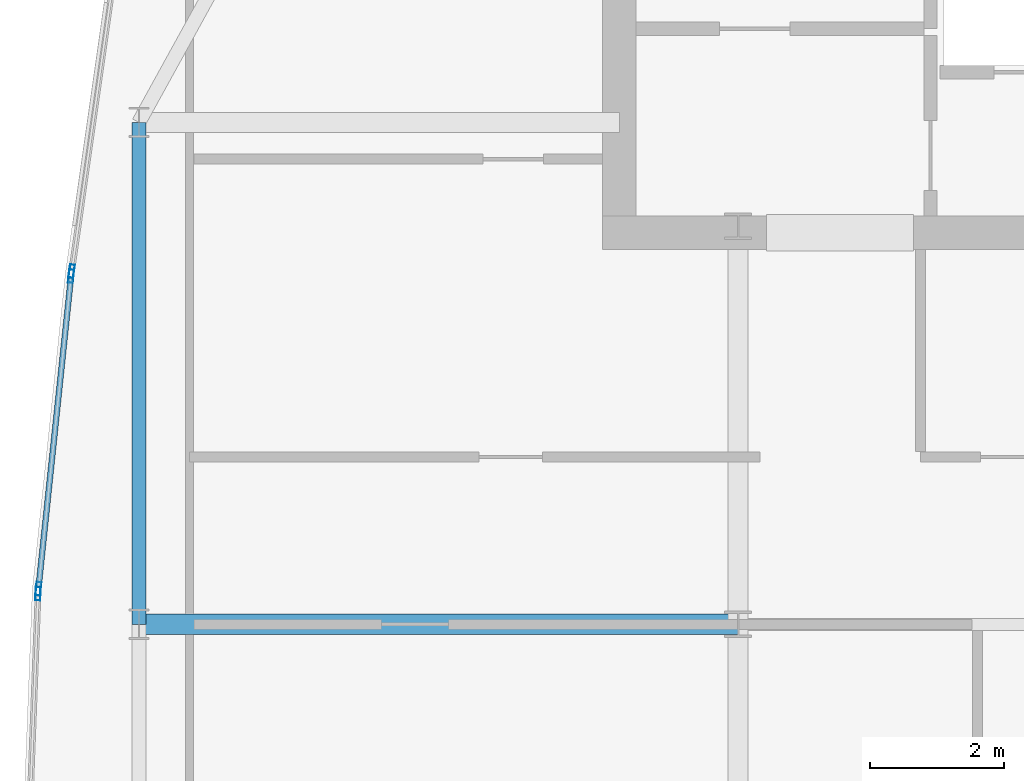
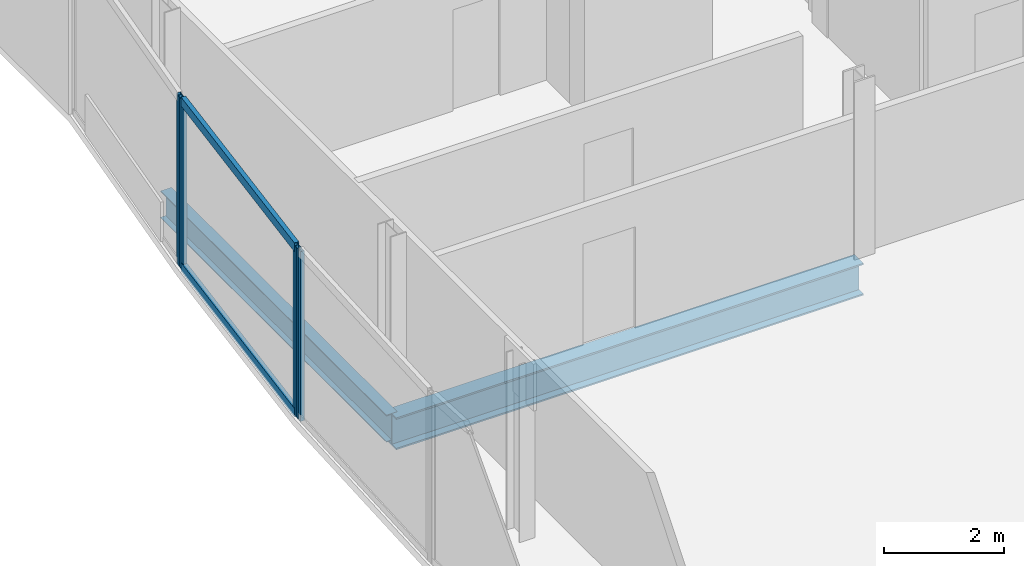
# One storey, part 12 of 30: 6 members, 2 beams, 3 elements without a shape of their own.
"""IFC4 building model written with IfcOpenShell, lengths in metres."""

from ifc_helpers import new_model, si_unit, direction, frame, origin, origin_2d, place, context, subcontext, project, spatial, hollow_rectangle, i_section, extrude, material, material_profile, profile_set, type_object, element, aggregate, save


model = new_model("IFC4")

# Units and contexts
model_context = context("Model", 3, precision=1e-05, world=origin(), true_north=direction((0.0, 1.0)))
body_context = subcontext(model_context, "Body", "Model", "MODEL_VIEW")
ifc_project = project(units=[si_unit("LENGTHUNIT", "METRE"), si_unit("AREAUNIT", "SQUARE_METRE"), si_unit("VOLUMEUNIT", "CUBIC_METRE"), si_unit("PLANEANGLEUNIT", "RADIAN"), si_unit("MASSUNIT", "GRAM", prefix="KILO")], contexts=[model_context])

# Site, building, storey
site_placement = place(None, origin())
site = spatial("IfcSite", under=ifc_project, at=site_placement, CompositionType="ELEMENT")
building_placement = place(site_placement, origin())
building = spatial("IfcBuilding", under=site, at=building_placement, Name="Khoronbel Lancet Exchange", CompositionType="ELEMENT")
storey_placement = place(building_placement, frame((0.0, 0.0, 280.60009765625)))
storey = spatial("IfcBuildingStorey", under=building, at=storey_placement, Name="L72", CompositionType="ELEMENT", Elevation=280.60009765625)

# Beams
ifc_material_1 = material(Name="Steel S355", Category="steel")
ifc_material_profile_1 = material_profile(ifc_material_1, i_section(OverallWidth=0.300048828125, OverallDepth=0.64990234375, WebThickness=0.01611328125, FlangeThickness=0.031005859375, at=origin_2d()), Name="HEB 650")
ifc_profile_set_1 = profile_set([ifc_material_profile_1], Name="Steel S355")
beam_type_1 = type_object("IfcBeamType", Name="BM-BG4", PredefinedType="BEAM", material=ifc_profile_set_1)
beam_1_placement = place(storey_placement, frame((9.27001953125, 35.699951171875, -0.485107421875), z_axis=(1.0, 0.0, 0.0), x_axis=(0.0, 1.0, 0.0)))
element("IfcBeam", 1, at=beam_1_placement, inside=storey, type_object=beam_type_1, Name="Level L72 west lens tie girder LG4W", PredefinedType="BEAM", context=body_context, shape_type="SweptSolid", body=[
    extrude(i_section(OverallWidth=0.300048828125, OverallDepth=0.64990234375, WebThickness=0.01611328125, FlangeThickness=0.031005859375, at=origin_2d()), origin(), (0.0, 0.0, 1.0), 8.955078125),
])
ifc_material_profile_2 = material_profile(ifc_material_1, i_section(OverallWidth=0.2099609375, OverallDepth=0.550048828125, WebThickness=0.010986328125, FlangeThickness=0.01708984375, at=origin_2d()), Name="IPE 550")
ifc_profile_set_2 = profile_set([ifc_material_profile_2], Name="Steel S355")
beam_type_2 = type_object("IfcBeamType", Name="BM-BSP3", PredefinedType="SPANDREL", material=ifc_profile_set_2)
beam_2_placement = place(storey_placement, frame((9.27001953125, 43.199951171875, -0.43505859375), z_axis=(0.0, -1.0, 0.0), x_axis=(1.0, 0.0, 0.0)))
element("IfcBeam", 2, at=beam_2_placement, inside=storey, type_object=beam_type_2, Name="Level L72 perimeter spandrel beam SP17", PredefinedType="SPANDREL", context=body_context, shape_type="SweptSolid", body=[
    extrude(i_section(OverallWidth=0.2099609375, OverallDepth=0.550048828125, WebThickness=0.010986328125, FlangeThickness=0.01708984375, at=origin_2d()), origin(), (0.0, 0.0, 1.0), 7.5),
])

# Curtain wall, member
ifc_material_2 = material(Name="Low-E Solar Control Insulating Glass", Category="glass")
curtain_wall_type = type_object("IfcCurtainWallType", Name="CW-4", PredefinedType="NOTDEFINED", material=ifc_material_2)
curtain_wall_1_placement = place(storey_placement, origin())
curtain_wall_1 = element("IfcCurtainWall", 3, at=curtain_wall_1_placement, inside=storey, type_object=curtain_wall_type, Name="Unitised curtain wall CW-L72-E07", PredefinedType="NOTDEFINED")
ifc_material_3 = material(Name="Bronze-Anodised Aluminium 6063-T6", Category="aluminium")
ifc_material_profile_3 = material_profile(ifc_material_3, hollow_rectangle(XDim=0.074951171875, YDim=0.199951171875, WallThickness=0.0048828125, at=origin_2d()), Name="ALU MULLION 75x200")
ifc_profile_set_3 = profile_set([ifc_material_profile_3], Name="Bronze-Anodised Aluminium 6063-T6")
member_type_1 = type_object("IfcMemberType", Name="MEM-CWM2", PredefinedType="MULLION", material=ifc_profile_set_3)
member_1_placement = place(storey_placement, frame((7.7646484375, 36.156005859375, 0.0), z_axis=(0.0, 0.0, 1.0), x_axis=(-0.999270418171, 0.038192032798, 0.0)))
member_1 = element("IfcMember", 4, at=member_1_placement, type_object=member_type_1, Name="CW4 mullion 2", PredefinedType="MULLION", context=body_context, shape_type="SweptSolid", body=[
    extrude(hollow_rectangle(XDim=0.074951171875, YDim=0.199951171875, WallThickness=0.0048828125, at=origin_2d()), origin(), (0.0, 0.0, 1.0), 3.43994140625),
])
aggregate(curtain_wall_1, [member_1])

# Curtain wall, members
curtain_wall_2_placement = place(storey_placement, origin())
curtain_wall_2 = element("IfcCurtainWall", 5, at=curtain_wall_2_placement, inside=storey, type_object=curtain_wall_type, Name="Unitised curtain wall CW-L72-E08", PredefinedType="NOTDEFINED")
member_2_placement = place(storey_placement, frame((7.769775390625, 36.23095703125, 0.0), z_axis=(0.0, 0.0, 1.0), x_axis=(-0.994590565659, 0.103873031641, 0.0)))
member_2 = element("IfcMember", 6, at=member_2_placement, type_object=member_type_1, Name="CW4 mullion 1", PredefinedType="MULLION", context=body_context, shape_type="SweptSolid", body=[
    extrude(hollow_rectangle(XDim=0.074951171875, YDim=0.199951171875, WallThickness=0.0048828125, at=origin_2d()), origin(), (0.0, 0.0, 1.0), 3.43994140625),
])
member_3_placement = place(storey_placement, frame((8.2578125, 40.901611328125, 0.0), z_axis=(0.0, 0.0, 1.0), x_axis=(-0.994590565659, 0.103873031641, 0.0)))
member_3 = element("IfcMember", 7, at=member_3_placement, type_object=member_type_1, Name="CW4 mullion 2", PredefinedType="MULLION", context=body_context, shape_type="SweptSolid", body=[
    extrude(hollow_rectangle(XDim=0.074951171875, YDim=0.199951171875, WallThickness=0.0048828125, at=origin_2d()), origin(), (0.0, 0.0, 1.0), 3.43994140625),
])

# Curtain wall, member
curtain_wall_3_placement = place(storey_placement, origin())
curtain_wall_3 = element("IfcCurtainWall", 8, at=curtain_wall_3_placement, inside=storey, type_object=curtain_wall_type, Name="Unitised curtain wall CW-L72-E09", PredefinedType="NOTDEFINED")
member_4_placement = place(storey_placement, frame((8.266845703125, 40.97607421875, 0.0), z_axis=(0.0, 0.0, 1.0), x_axis=(-0.989973632032, 0.141252284521, 0.0)))
member_4 = element("IfcMember", 9, at=member_4_placement, type_object=member_type_1, Name="CW4 mullion 1", PredefinedType="MULLION", context=body_context, shape_type="SweptSolid", body=[
    extrude(hollow_rectangle(XDim=0.074951171875, YDim=0.199951171875, WallThickness=0.0048828125, at=origin_2d()), origin(), (0.0, 0.0, 1.0), 3.43994140625),
])
aggregate(curtain_wall_3, [member_4])

# Member
ifc_material_profile_4 = material_profile(ifc_material_3, hollow_rectangle(XDim=0.0849609375, YDim=0.179931640625, WallThickness=0.0048828125, at=origin_2d()), Name="ALU TRANSOM 85x180")
ifc_profile_set_4 = profile_set([ifc_material_profile_4], Name="Bronze-Anodised Aluminium 6063-T6")
member_type_2 = type_object("IfcMemberType", Name="MEM-CWT1", PredefinedType="USERDEFINED", material=ifc_profile_set_4)
member_5_placement = place(storey_placement, frame((7.773681640625, 36.268310546875, 0.04248046875), z_axis=(0.103917481639, 0.994585922387, 0.0), x_axis=(-0.994585922387, 0.103917481639, 0.0)))
member_5 = element("IfcMember", 10, at=member_5_placement, type_object=member_type_2, Name="CW4 transom 1.1", ObjectType="TRANSOM", PredefinedType="USERDEFINED", context=body_context, shape_type="SweptSolid", body=[
    extrude(hollow_rectangle(XDim=0.0849609375, YDim=0.179931640625, WallThickness=0.0048828125, at=origin_2d()), origin(), (0.0, 0.0, 1.0), 4.62109375),
])

member_6_placement = place(storey_placement, frame((7.773681640625, 36.268310546875, 3.3974609375), z_axis=(0.103917481639, 0.994585922387, 0.0), x_axis=(-0.994585922387, 0.103917481639, 0.0)))
member_6 = element("IfcMember", 11, at=member_6_placement, type_object=member_type_2, Name="CW4 transom 1.2", ObjectType="TRANSOM", PredefinedType="USERDEFINED", context=body_context, shape_type="SweptSolid", body=[
    extrude(hollow_rectangle(XDim=0.0849609375, YDim=0.179931640625, WallThickness=0.0048828125, at=origin_2d()), origin(), (0.0, 0.0, 1.0), 4.62109375),
])

aggregate(curtain_wall_2, [member_2, member_3, member_5, member_6])

save(model, "model.ifc")
